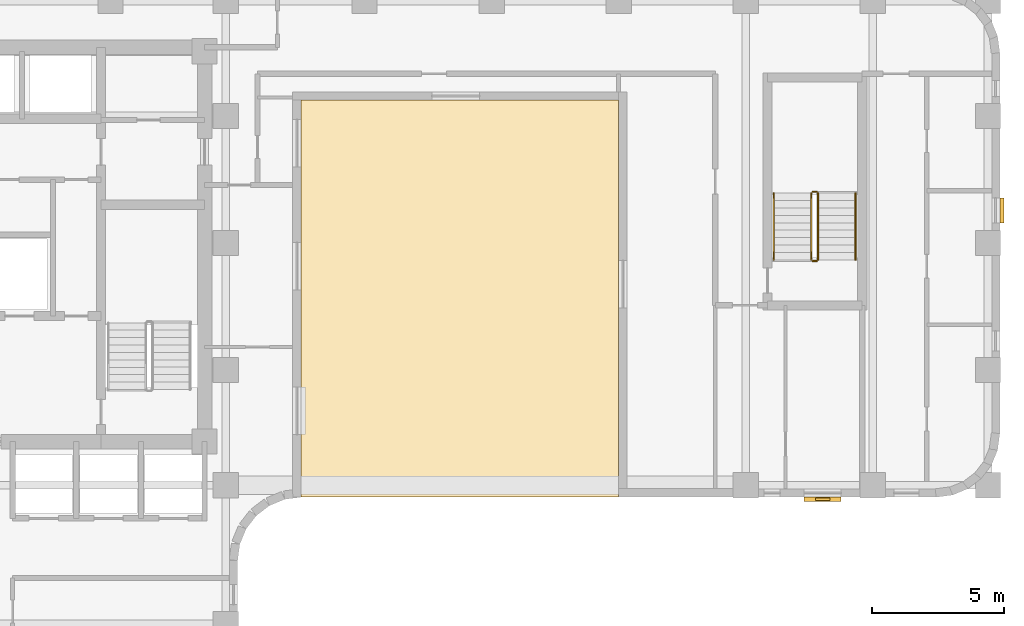
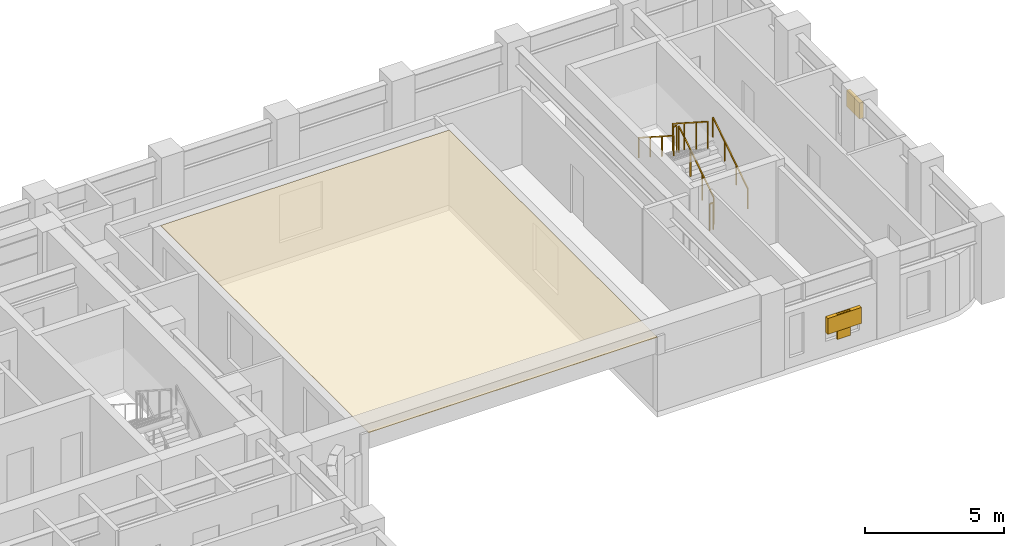
# One storey, part 8 of 9: 6 railings, 3 shading devices, 1 covering.
"""IFC4 building model written with IfcOpenShell, lengths in metres."""

from ifc_helpers import new_model, si_unit, direction, frame, origin, origin_2d, place, context, subcontext, project, spatial, polyline, rectangle, outline, extrude, material, layer, layer_set, type_object, element, save


model = new_model("IFC4")

# Units and contexts
model_context = context("Model", 3, precision=1e-05, world=origin(), true_north=direction((0.0, 1.0)))
body_context = subcontext(model_context, "Body", "Model", "MODEL_VIEW")
ifc_project = project(units=[si_unit("LENGTHUNIT", "METRE"), si_unit("AREAUNIT", "SQUARE_METRE"), si_unit("VOLUMEUNIT", "CUBIC_METRE"), si_unit("PLANEANGLEUNIT", "RADIAN"), si_unit("MASSUNIT", "GRAM", prefix="KILO")], contexts=[model_context])

# Site, building, storey
site_placement = place(None, origin())
site = spatial("IfcSite", under=ifc_project, at=site_placement, CompositionType="ELEMENT")
building_placement = place(site_placement, origin())
building = spatial("IfcBuilding", under=site, at=building_placement, Name="Orvandelia Arch Residences", CompositionType="ELEMENT")
storey_placement = place(building_placement, frame((0.0, 0.0, 190.0)))
storey = spatial("IfcBuildingStorey", under=building, at=storey_placement, Name="L50", CompositionType="ELEMENT", Elevation=190.0)

# Covering
ifc_material_1 = material(Name="Anodised Bronze Soffit Cladding")
ifc_layer = layer(ifc_material_1, 0.02490234375, Name="Anodised Bronze Soffit Cladding")
ifc_layer_set = layer_set([ifc_layer], Name="Anodised Bronze Soffit Cladding")
covering_type = type_object("IfcCoveringType", Name="COV-SOFFIT-ALU", PredefinedType="WRAPPING", material=ifc_layer_set)
covering_placement = place(storey_placement, frame((0.0, 0.0, 3.27490234375)))
element("IfcCovering", 1, at=covering_placement, inside=storey, type_object=covering_type, Name="Void-Portal Bridge Bronze Soffit", PredefinedType="WRAPPING", context=body_context, shape_type="SweptSolid", body=[
    extrude(outline(polyline([(26.39990234375, 28.800048828125), (38.39990234375, 28.800048828125), (38.39990234375, 43.800048828125), (26.39990234375, 43.800048828125), (26.39990234375, 28.800048828125)])), origin(), (0.0, 0.0, 1.0), 0.025146484375),
])

# Railings
ifc_material_2 = material(Name="Brushed Stainless Steel 304", Category="steel")
railing_type_1 = type_object("IfcRailingType", Name="RL-STAIR-GD1120", PredefinedType="GUARDRAIL", material=ifc_material_2)
railing_1_placement = place(storey_placement, frame((45.929931640625, 37.77001953125, 0.179931640625)))
element("IfcRailing", 2, at=railing_1_placement, inside=storey, type_object=railing_type_1, Name="L50 ST-3 stair guard 1", PredefinedType="GUARDRAIL", context=body_context, shape_type="SweptSolid", body=[
    extrude(rectangle(XDim=0.048095703125, YDim=0.048095703125, at=origin_2d()), frame((0.0, 0.0, 1.17578125), z_axis=(0.0, 0.841162588446, 0.540782303519), x_axis=(-1.0, 0.0, 0.0)), (0.0, 0.0, 1.0), 2.995849609375),
    extrude(rectangle(XDim=0.0419921875, YDim=0.0419921875, at=origin_2d()), origin(), (0.0, 0.0, 1.0), 1.15185546875),
    extrude(rectangle(XDim=0.0419921875, YDim=0.0419921875, at=origin_2d()), frame((0.0, 0.840087890625, 0.5400390625)), (0.0, 0.0, 1.0), 1.15185546875),
    extrude(rectangle(XDim=0.0419921875, YDim=0.0419921875, at=origin_2d()), frame((0.0, 1.679931640625, 1.080078125)), (0.0, 0.0, 1.0), 1.15185546875),
    extrude(rectangle(XDim=0.0419921875, YDim=0.0419921875, at=origin_2d()), frame((0.0, 2.52001953125, 1.6201171875)), (0.0, 0.0, 1.0), 1.15185546875),
])
railing_2_placement = place(storey_placement, frame((45.8798828125, 40.340087890625, 1.800048828125)))
element("IfcRailing", 3, at=railing_2_placement, inside=storey, type_object=railing_type_1, Name="L50 ST-3 stair guard 2", PredefinedType="GUARDRAIL", context=body_context, shape_type="SweptSolid", body=[
    extrude(rectangle(XDim=0.048095703125, YDim=0.048095703125, at=origin_2d()), frame((0.0, 0.0, 1.17578125), z_axis=(-1.0, 0.0, 0.0), x_axis=(0.0, -1.0, 0.0)), (0.0, 0.0, 1.0), 0.14990234375),
    extrude(rectangle(XDim=0.0419921875, YDim=0.0419921875, at=origin_2d()), origin(), (0.0, 0.0, 1.0), 1.15185546875),
    extrude(rectangle(XDim=0.0419921875, YDim=0.0419921875, at=origin_2d()), frame((-0.14990234375, 0.0, 0.0)), (0.0, 0.0, 1.0), 1.15185546875),
])
railing_3_placement = place(storey_placement, frame((45.679931640625, 40.2900390625, 1.97998046875)))
element("IfcRailing", 4, at=railing_3_placement, inside=storey, type_object=railing_type_1, Name="L50 ST-3 stair guard 3", PredefinedType="GUARDRAIL", context=body_context, shape_type="SweptSolid", body=[
    extrude(rectangle(XDim=0.048095703125, YDim=0.048095703125, at=origin_2d()), frame((0.0, 0.0, 1.17578125), z_axis=(0.0, -0.841162588446, 0.540782303519), x_axis=(1.0, 0.0, 0.0)), (0.0, 0.0, 1.0), 2.995849609375),
    extrude(rectangle(XDim=0.0419921875, YDim=0.0419921875, at=origin_2d()), origin(), (0.0, 0.0, 1.0), 1.15185546875),
    extrude(rectangle(XDim=0.0419921875, YDim=0.0419921875, at=origin_2d()), frame((0.0, -0.840087890625, 0.5400390625)), (0.0, 0.0, 1.0), 1.15185546875),
    extrude(rectangle(XDim=0.0419921875, YDim=0.0419921875, at=origin_2d()), frame((0.0, -1.679931640625, 1.080078125)), (0.0, 0.0, 1.0), 1.15185546875),
    extrude(rectangle(XDim=0.0419921875, YDim=0.0419921875, at=origin_2d()), frame((0.0, -2.52001953125, 1.6201171875)), (0.0, 0.0, 1.0), 1.15185546875),
])
railing_4_placement = place(storey_placement, frame((45.8798828125, 37.719970703125, 0.0)))
element("IfcRailing", 5, at=railing_4_placement, inside=storey, type_object=railing_type_1, Name="L50 ST-3 stair guard 4", PredefinedType="GUARDRAIL", context=body_context, shape_type="SweptSolid", body=[
    extrude(rectangle(XDim=0.048095703125, YDim=0.048095703125, at=origin_2d()), frame((0.0, 0.0, 1.17578125), z_axis=(-1.0, 0.0, 0.0), x_axis=(0.0, -1.0, 0.0)), (0.0, 0.0, 1.0), 0.14990234375),
    extrude(rectangle(XDim=0.0419921875, YDim=0.0419921875, at=origin_2d()), origin(), (0.0, 0.0, 1.0), 1.15185546875),
    extrude(rectangle(XDim=0.0419921875, YDim=0.0419921875, at=origin_2d()), frame((-0.14990234375, 0.0, 0.0)), (0.0, 0.0, 1.0), 1.15185546875),
])
railing_type_2 = type_object("IfcRailingType", Name="RL-STAIR-HR920", PredefinedType="HANDRAIL", material=ifc_material_2)
railing_5_placement = place(storey_placement, frame((47.35009765625, 37.77001953125, 0.360107421875)))
element("IfcRailing", 6, at=railing_5_placement, inside=storey, type_object=railing_type_2, Name="L50 ST-3 stair handrail 1", PredefinedType="HANDRAIL", context=body_context, shape_type="SweptSolid", body=[
    extrude(rectangle(XDim=0.048095703125, YDim=0.048095703125, at=origin_2d()), frame((0.0, 0.0, 0.8759765625), z_axis=(0.0, 0.841199657755, 0.540724639528), x_axis=(-1.0, 0.0, 0.0)), (0.0, 0.0, 1.0), 2.995849609375),
    extrude(rectangle(XDim=0.0419921875, YDim=0.0419921875, at=origin_2d()), origin(), (0.0, 0.0, 1.0), 0.851806640625),
    extrude(rectangle(XDim=0.0419921875, YDim=0.0419921875, at=origin_2d()), frame((0.0, 0.840087890625, 0.5400390625)), (0.0, 0.0, 1.0), 0.851806640625),
    extrude(rectangle(XDim=0.0419921875, YDim=0.0419921875, at=origin_2d()), frame((0.0, 1.679931640625, 1.079833984375)), (0.0, 0.0, 1.0), 0.851806640625),
    extrude(rectangle(XDim=0.0419921875, YDim=0.0419921875, at=origin_2d()), frame((0.0, 2.52001953125, 1.619873046875)), (0.0, 0.0, 1.0), 0.851806640625),
])
railing_6_placement = place(storey_placement, frame((44.260009765625, 40.2900390625, 2.159912109375)))
element("IfcRailing", 7, at=railing_6_placement, inside=storey, type_object=railing_type_2, Name="L50 ST-3 stair handrail 2", PredefinedType="HANDRAIL", context=body_context, shape_type="SweptSolid", body=[
    extrude(rectangle(XDim=0.048095703125, YDim=0.048095703125, at=origin_2d()), frame((0.0, 0.0, 0.8759765625), z_axis=(0.0, -0.841162588446, 0.540782303519), x_axis=(1.0, 0.0, 0.0)), (0.0, 0.0, 1.0), 2.995849609375),
    extrude(rectangle(XDim=0.0419921875, YDim=0.0419921875, at=origin_2d()), origin(), (0.0, 0.0, 1.0), 0.851806640625),
    extrude(rectangle(XDim=0.0419921875, YDim=0.0419921875, at=origin_2d()), frame((0.0, -0.840087890625, 0.5400390625)), (0.0, 0.0, 1.0), 0.851806640625),
    extrude(rectangle(XDim=0.0419921875, YDim=0.0419921875, at=origin_2d()), frame((0.0, -1.679931640625, 1.080078125)), (0.0, 0.0, 1.0), 0.851806640625),
    extrude(rectangle(XDim=0.0419921875, YDim=0.0419921875, at=origin_2d()), frame((0.0, -2.52001953125, 1.6201171875)), (0.0, 0.0, 1.0), 0.851806640625),
])

# Shading devices
ifc_material_3 = material(Name="Anodised Champagne-Bronze Extruded Aluminium", Category="aluminium")
shading_device_type_1 = type_object("IfcShadingDeviceType", Name="SHD-JALOUSIE-SCREEN", PredefinedType="JALOUSIE", material=ifc_material_3)
shading_device_1_placement = place(storey_placement, frame((52.8798828125, 39.638916015625, 1.5498046875), z_axis=(0.0, 0.0, 1.0), x_axis=(0.0, -1.0, 0.0)))
element("IfcShadingDevice", 8, at=shading_device_1_placement, inside=storey, type_object=shading_device_type_1, Name="Bronze Jalousie Sun-Shade L50-002", PredefinedType="JALOUSIE", context=body_context, shape_type="SweptSolid", body=[
    extrude(rectangle(XDim=0.949951171875, YDim=0.159912109375, at=origin_2d()), origin(), (0.0, 0.0, 1.0), 0.699951171875),
])
shading_device_2_placement = place(storey_placement, frame((46.1025390625, 28.719970703125, 1.0498046875), z_axis=(0.0, 0.0, 1.0), x_axis=(-1.0, 0.0, 0.0)))
element("IfcShadingDevice", 9, at=shading_device_2_placement, inside=storey, type_object=shading_device_type_1, Name="Bronze Jalousie Sun-Shade L50-003", PredefinedType="JALOUSIE", context=body_context, shape_type="SweptSolid", body=[
    extrude(rectangle(XDim=1.39990234375, YDim=0.159912109375, at=origin_2d()), origin(), (0.0, 0.0, 1.0), 0.699951171875),
])
ifc_material_4 = material(Name="Marine-Grade Perforated Aluminium Storm Shutter", Category="aluminium")
shading_device_type_2 = type_object("IfcShadingDeviceType", Name="SHD-STORM-SHUTTER", PredefinedType="SHUTTER", material=ifc_material_4)
shading_device_3_placement = place(storey_placement, frame((46.1025390625, 28.719970703125, 0.64990234375), z_axis=(0.0, 0.0, 1.0), x_axis=(-1.0, 0.0, 0.0)))
element("IfcShadingDevice", 10, at=shading_device_3_placement, inside=storey, type_object=shading_device_type_2, Name="Operable Typhoon Storm Shutter L50-003", PredefinedType="SHUTTER", context=body_context, shape_type="SweptSolid", body=[
    extrude(rectangle(XDim=0.550048828125, YDim=0.080078125, at=origin_2d()), origin(), (0.0, 0.0, 1.0), 1.10009765625),
])

save(model, "model.ifc")
